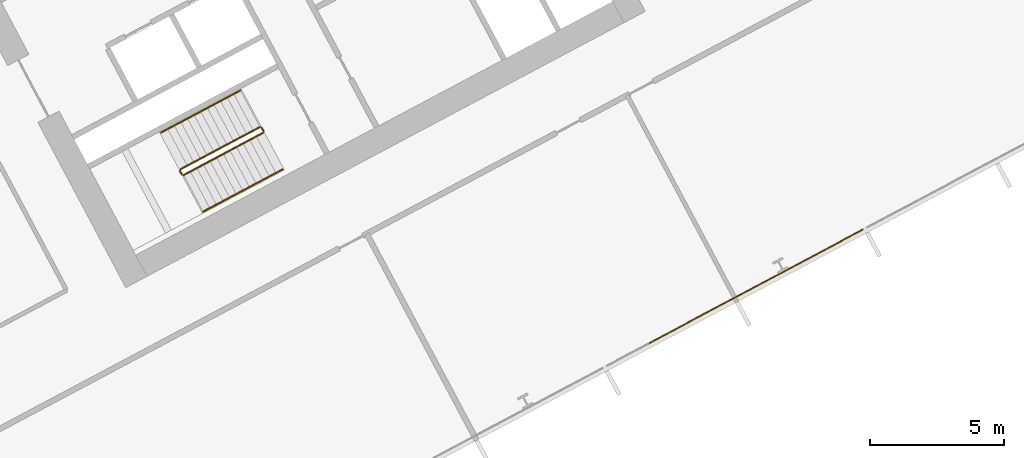
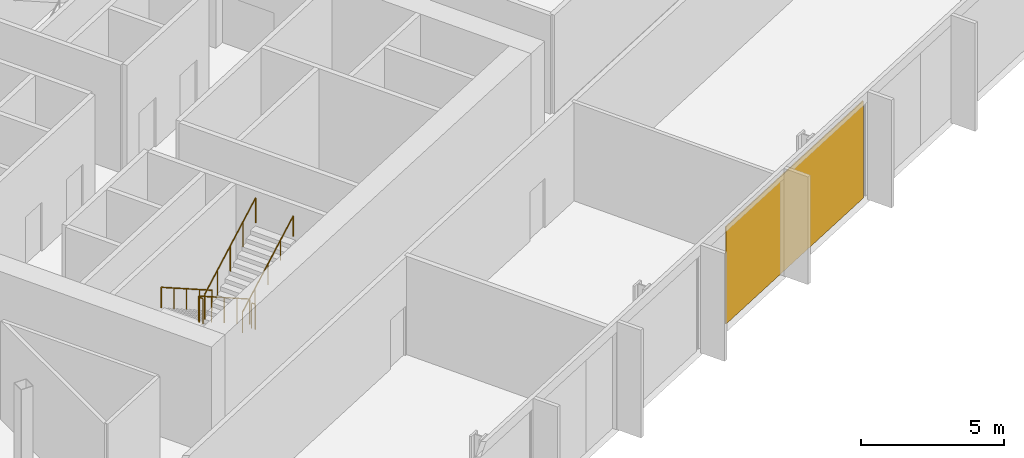
# One storey, part 26 of 30: 6 railings, 1 covering, 1 element without a shape of its own.
"""IFC4 building model written with IfcOpenShell, lengths in metres."""

import ifcopenshell
import ifcopenshell.guid

model = None  # the IFC model being written
_history = None  # IfcOwnerHistory: only IFC2X3 demands one
_inside = {}  # id of a spatial element -> (the spatial element, [elements in it])
_under = {}  # id of a project, library or spatial element -> (it, [spatial elements below it])
_declared = {}  # id of a project -> (the project, [libraries it declares])
_typed = {}  # id of a type object -> (the type object, [elements of that type])
_made_of = {}  # id of a material, layer set ... -> (it, [elements and type objects made of it])


def new_model(schema):
    """Start an empty IFC model of exactly this schema.

    Asked for "IFC4X3", IfcOpenShell would pick the latest addendum, in which some entities
    have other attributes; the version numbers below select the first issue.
    IFC2X3 requires an IfcOwnerHistory on every rooted entity: one is made here for all.
    """
    global model, _history
    if schema == "IFC4X3":
        model = ifcopenshell.file(schema_version=(4, 3, 0, 0))
    else:
        model = ifcopenshell.file(schema=schema)
    _inside.clear()
    _under.clear()
    _declared.clear()
    _typed.clear()
    _made_of.clear()
    _history = None
    if model.schema == "IFC2X3":
        org = make("IfcOrganization", Name="unknown")
        user = make(
            "IfcPersonAndOrganization",
            ThePerson=make("IfcPerson", FamilyName="unknown"),
            TheOrganization=org,
        )
        app = make(
            "IfcApplication",
            ApplicationDeveloper=org,
            Version="unknown",
            ApplicationFullName="unknown",
            ApplicationIdentifier="unknown",
        )
        _history = make(
            "IfcOwnerHistory",
            OwningUser=user,
            OwningApplication=app,
            ChangeAction="ADDED",
            CreationDate=0,
        )
    return model


def make(cls, **values):
    """One entity of the class cls with the attributes given. An attribute that is None is left unset."""
    return model.create_entity(
        cls, **{name: value for name, value in values.items() if value is not None}
    )


def rooted(cls, **values):
    """An entity with a GlobalId (a new one), such as an element, a storey or a relation."""
    return make(cls, GlobalId=ifcopenshell.guid.new(), OwnerHistory=_history, **values)


def si_unit(unit_type, name, prefix=None):
    """IfcSIUnit, for example si_unit("LENGTHUNIT", "METRE", prefix="MILLI")."""
    return make("IfcSIUnit", UnitType=unit_type, Prefix=prefix, Name=name)


def assignment(units):
    """IfcUnitAssignment: the units of a project."""
    return None if units is None else make("IfcUnitAssignment", Units=units)


def point(xyz):
    """IfcCartesianPoint."""
    return None if xyz is None else make("IfcCartesianPoint", Coordinates=xyz)


def direction(xyz):
    """IfcDirection."""
    return None if xyz is None else make("IfcDirection", DirectionRatios=xyz)


def frame(location, z_axis=None, x_axis=None):
    """IfcAxis2Placement3D, a coordinate frame: its origin and axes. An axis left out is left unset."""
    return make(
        "IfcAxis2Placement3D",
        Location=point(location),
        Axis=direction(z_axis),
        RefDirection=direction(x_axis),
    )


def frame_2d(location, x_axis=None):
    """IfcAxis2Placement2D, a coordinate frame in the plane: its origin and x axis."""
    return make(
        "IfcAxis2Placement2D", Location=point(location), RefDirection=direction(x_axis)
    )


def origin():
    """The frame at (0, 0, 0) with its axes left unset."""
    return frame((0.0, 0.0, 0.0))


def origin_2d():
    """The frame at (0, 0) in the plane with its x axis left unset."""
    return frame_2d((0.0, 0.0))


def place(relative_to, where):
    """IfcLocalPlacement: puts the frame where relative to a parent placement (None: the world)."""
    return make(
        "IfcLocalPlacement", PlacementRelTo=relative_to, RelativePlacement=where
    )


def context(
    kind, dimensions, precision=None, world=None, true_north=None, identifier=None
):
    """IfcGeometricRepresentationContext, for example the 3D "Model" context."""
    return make(
        "IfcGeometricRepresentationContext",
        ContextIdentifier=identifier,
        ContextType=kind,
        CoordinateSpaceDimension=dimensions,
        Precision=precision,
        WorldCoordinateSystem=world,
        TrueNorth=true_north,
    )


def subcontext(parent, identifier, kind, view, scale=None):
    """IfcGeometricRepresentationSubContext, for example "Body" below "Model"."""
    return make(
        "IfcGeometricRepresentationSubContext",
        ContextIdentifier=identifier,
        ContextType=kind,
        ParentContext=parent,
        TargetScale=scale,
        TargetView=view,
    )


def project(units=None, contexts=None):
    """IfcProject with its units and contexts."""
    return rooted(
        "IfcProject",
        Name="project",
        RepresentationContexts=contexts,
        UnitsInContext=assignment(units),
    )


def spatial(cls, under=None, at=None, **own):
    """A site, building, storey or space (cls), placed at a placement, below another one or the project."""
    s = rooted(cls, ObjectPlacement=at, **own)
    if under is not None:
        _under.setdefault(under.id(), (under, []))[1].append(s)
    return s


def polyline(points):
    """IfcPolyline through the points."""
    return make("IfcPolyline", Points=[point(p) for p in points])


def profile(cls, at=None, kind="AREA", **sizes):
    """A parametric profile (cls). Its sizes go by their IFC names, for example OverallWidth=200.0."""
    return make(cls, ProfileType=kind, Position=at, **sizes)


def rectangle(**sizes):
    """IfcRectangleProfileDef."""
    return profile("IfcRectangleProfileDef", **sizes)


def outline(outer, holes=None, kind="AREA"):
    """IfcArbitraryClosedProfileDef: a profile drawn as a closed curve; with holes, ...WithVoids."""
    if holes is None:
        return make("IfcArbitraryClosedProfileDef", ProfileType=kind, OuterCurve=outer)
    return make(
        "IfcArbitraryProfileDefWithVoids",
        ProfileType=kind,
        OuterCurve=outer,
        InnerCurves=holes,
    )


def extrude(swept, where, along, depth):
    """IfcExtrudedAreaSolid: the profile swept, set in the frame where, extruded along a direction by depth."""
    return make(
        "IfcExtrudedAreaSolid",
        SweptArea=swept,
        Position=where,
        ExtrudedDirection=direction(along),
        Depth=depth,
    )


def shape(context_of_items, identifier, shape_type, items):
    """IfcShapeRepresentation: the items that make up one representation, for example the "Body"."""
    return make(
        "IfcShapeRepresentation",
        ContextOfItems=context_of_items,
        RepresentationIdentifier=identifier,
        RepresentationType=shape_type,
        Items=items,
    )


def material(Name=None, Category=None):
    """IfcMaterial."""
    return make("IfcMaterial", Name=Name, Category=Category)


def layer(
    of_material, thickness, ventilated=None, Name=None, Category=None, Priority=None
):
    """IfcMaterialLayer: one layer of a wall or slab, of a material (None: an air gap)."""
    return make(
        "IfcMaterialLayer",
        Material=of_material,
        LayerThickness=thickness,
        IsVentilated=ventilated,
        Name=Name,
        Category=Category,
        Priority=Priority,
    )


def layer_set(layers, Name=None):
    """IfcMaterialLayerSet."""
    return make("IfcMaterialLayerSet", MaterialLayers=layers, LayerSetName=Name)


def made_of(thing, what):
    """Note that an element or type object is made of a material, layer set ...; save() writes the relation."""
    if what is not None:
        _made_of.setdefault(what.id(), (what, []))[1].append(thing)
    return thing


def type_object(cls, material=None, **own):
    """A type object (cls), such as IfcWallType, which elements share."""
    return made_of(rooted(cls, **own), material)


def element(
    cls,
    number,
    at=None,
    inside=None,
    cuts=None,
    type_object=None,
    material=None,
    context=None,
    identifier="Body",
    shape_type=None,
    held_by="IfcProductDefinitionShape",
    body=None,
    shapes=None,
    **own,
):
    """One element of the class cls, such as IfcWall. Its Tag is "e" and its number.

    at: its placement. inside: the storey or other place that contains it. cuts: it is an
    opening in that element (IfcRelVoidsElement). A single representation is given by context,
    identifier, shape_type and body (its items); several are given by shapes. held_by: the class
    of the entity that holds the representations. save() writes the other relations.
    """
    e = rooted(cls, Tag="e%d" % number, ObjectPlacement=at, **own)
    if body is not None:
        shapes = [shape(context, identifier, shape_type, body)]
    if shapes is not None:
        e.Representation = make(held_by, Representations=shapes)
    if inside is not None:
        _inside.setdefault(inside.id(), (inside, []))[1].append(e)
    if cuts is not None:
        rooted(
            "IfcRelVoidsElement", RelatingBuildingElement=cuts, RelatedOpeningElement=e
        )
    if type_object is not None:
        _typed.setdefault(type_object.id(), (type_object, []))[1].append(e)
    return made_of(e, material)


def aggregate(whole, parts):
    """IfcRelAggregates: a whole, such as a stair, and the parts it consists of."""
    return rooted("IfcRelAggregates", RelatingObject=whole, RelatedObjects=parts)


def save(model, path):
    """Write the relations noted so far, then the file.

    IfcRelAggregates (storeys below a building ...), IfcRelContainedInSpatialStructure (elements
    in a storey), IfcRelDefinesByType, IfcRelAssociatesMaterial and IfcRelDeclares: one each for
    every whole, place, type object, material and project.
    """
    for whole, parts in _under.values():
        aggregate(whole, parts)
    for where, things in _inside.values():
        rooted(
            "IfcRelContainedInSpatialStructure",
            RelatedElements=things,
            RelatingStructure=where,
        )
    for kind, things in _typed.values():
        rooted("IfcRelDefinesByType", RelatedObjects=things, RelatingType=kind)
    for what, things in _made_of.values():
        rooted("IfcRelAssociatesMaterial", RelatedObjects=things, RelatingMaterial=what)
    for by, libraries in _declared.values():
        rooted("IfcRelDeclares", RelatingContext=by, RelatedDefinitions=libraries)
    model.write(path)


model = new_model("IFC4")

# Units and contexts
model_context = context("Model", 3, precision=1e-05, world=origin(), true_north=direction((0.0, 1.0)))
body_context = subcontext(model_context, "Body", "Model", "MODEL_VIEW")
ifc_project = project(units=[si_unit("LENGTHUNIT", "METRE"), si_unit("AREAUNIT", "SQUARE_METRE"), si_unit("VOLUMEUNIT", "CUBIC_METRE"), si_unit("PLANEANGLEUNIT", "RADIAN"), si_unit("MASSUNIT", "GRAM", prefix="KILO")], contexts=[model_context])

# Site, building, storey
site_placement = place(None, origin())
site = spatial("IfcSite", under=ifc_project, at=site_placement, CompositionType="ELEMENT")
building_placement = place(site_placement, origin())
building = spatial("IfcBuilding", under=site, at=building_placement, Name="Cormorant Relay Tower", CompositionType="ELEMENT")
storey_placement = place(building_placement, frame((0.0, 0.0, 84.60009765625)))
storey = spatial("IfcBuildingStorey", under=building, at=storey_placement, Name="L16", CompositionType="ELEMENT", Elevation=84.60009765625)

# Curtain wall, covering
ifc_material_1 = material(Name="Aluminium 6063-T6 anodised bronze", Category="aluminium")
ifc_layer_1 = layer(ifc_material_1, 0.199951171875)
ifc_layer_set_1 = layer_set([ifc_layer_1], Name="CW1 unitised bronze curtain wall with vertical fins")
curtain_wall_type = type_object("IfcCurtainWallType", Name="CW1 unitised bronze curtain wall with vertical fins", PredefinedType="NOTDEFINED", material=ifc_layer_set_1)
curtain_wall_placement = place(storey_placement, origin())
curtain_wall = element("IfcCurtainWall", 1, at=curtain_wall_placement, inside=storey, type_object=curtain_wall_type, Name="CW1 curtain wall 2", PredefinedType="NOTDEFINED")
ifc_material_2 = material(Name="Pale bronze anodised aluminium insulated panel", Category="aluminium")
ifc_layer_2 = layer(ifc_material_2, 0.0400390625)
ifc_layer_set_2 = layer_set([ifc_layer_2], Name="CW1 pale bronze insulated panel 40")
covering_type = type_object("IfcCoveringType", Name="CW1 pale bronze insulated panel 40", PredefinedType="CLADDING", material=ifc_layer_set_2)
covering_placement = place(storey_placement, frame((42.38623046875, -1.269287109375, 0.0), z_axis=(0.0, 0.0, 1.0), x_axis=(0.882947592859, 0.469471562786, 0.0)))
covering = element("IfcCovering", 2, at=covering_placement, type_object=covering_type, Name="CW1 panel S09", PredefinedType="CLADDING", context=body_context, shape_type="SweptSolid", body=[
    extrude(rectangle(XDim=9.07373046875, YDim=0.0400390625, at=origin_2d()), origin(), (0.0, 0.0, 1.0), 4.14990234375),
])
aggregate(curtain_wall, [covering])

# Railings
ifc_material_3 = material(Name="Steel ASTM A572 Grade 50 (Fy 345 MPa)", Category="steel")
railing_type_1 = type_object("IfcRailingType", Name="Stair guard 1100", PredefinedType="GUARDRAIL", material=ifc_material_3)
railing_1_placement = place(storey_placement, frame((23.83837890625, 4.6904296875, 0.1767578125)))
element("IfcRailing", 3, at=railing_1_placement, inside=storey, type_object=railing_type_1, Name="L16 B1 stair guard 1", PredefinedType="GUARDRAIL", context=body_context, shape_type="SweptSolid", body=[
    extrude(outline(polyline([(0.022216796875, 0.00927734375), (0.00927734375, 0.022216796875), (-0.00927734375, 0.022216796875), (-0.022216796875, 0.00927734375), (-0.022216796875, -0.00927734375), (-0.00927734375, -0.022216796875), (0.00927734375, -0.022216796875), (0.022216796875, -0.00927734375), (0.022216796875, 0.00927734375)])), frame((0.0, 0.0, 1.076171875), z_axis=(-0.746440668329, -0.396869088057, 0.534154711306), x_axis=(0.46945269911, -0.882957622595, 0.0)), (0.0, 0.0, 1.0), 3.974609375),
    extrude(outline(polyline([(0.019287109375, 0.008056640625), (0.008056640625, 0.019287109375), (-0.008056640625, 0.019287109375), (-0.019287109375, 0.008056640625), (-0.019287109375, -0.008056640625), (-0.008056640625, -0.019287109375), (0.008056640625, -0.019287109375), (0.019287109375, -0.008056640625), (0.019287109375, 0.008056640625)])), origin(), (0.0, 0.0, 1.0), 1.052001953125),
    extrude(outline(polyline([(0.019287109375, 0.008056640625), (0.008056640625, 0.019287109375), (-0.008056640625, 0.019287109375), (-0.019287109375, 0.008056640625), (-0.019287109375, -0.008056640625), (-0.008056640625, -0.019287109375), (0.008056640625, -0.019287109375), (0.019287109375, -0.008056640625), (0.019287109375, 0.008056640625)])), frame((-0.74169921875, -0.394287109375, 0.53076171875)), (0.0, 0.0, 1.0), 1.052001953125),
    extrude(outline(polyline([(0.019287109375, 0.008056640625), (0.008056640625, 0.019287109375), (-0.008056640625, 0.019287109375), (-0.019287109375, 0.008056640625), (-0.019287109375, -0.008056640625), (-0.008056640625, -0.019287109375), (0.008056640625, -0.019287109375), (0.019287109375, -0.008056640625), (0.019287109375, 0.008056640625)])), frame((-1.4833984375, -0.78857421875, 1.0615234375)), (0.0, 0.0, 1.0), 1.052001953125),
    extrude(outline(polyline([(0.019287109375, 0.008056640625), (0.008056640625, 0.019287109375), (-0.008056640625, 0.019287109375), (-0.019287109375, 0.008056640625), (-0.019287109375, -0.008056640625), (-0.008056640625, -0.019287109375), (0.008056640625, -0.019287109375), (0.019287109375, -0.008056640625), (0.019287109375, 0.008056640625)])), frame((-2.22509765625, -1.18310546875, 1.59228515625)), (0.0, 0.0, 1.0), 1.052001953125),
    extrude(outline(polyline([(0.019287109375, 0.008056640625), (0.008056640625, 0.019287109375), (-0.008056640625, 0.019287109375), (-0.019287109375, 0.008056640625), (-0.019287109375, -0.008056640625), (-0.008056640625, -0.019287109375), (0.008056640625, -0.019287109375), (0.019287109375, -0.008056640625), (0.019287109375, 0.008056640625)])), frame((-2.966796875, -1.577392578125, 2.123046875)), (0.0, 0.0, 1.0), 1.052001953125),
])
railing_2_placement = place(storey_placement, frame((20.850830078125, 3.04541015625, 2.2998046875)))
element("IfcRailing", 4, at=railing_2_placement, inside=storey, type_object=railing_type_1, Name="L16 B1 stair guard 2", PredefinedType="GUARDRAIL", context=body_context, shape_type="SweptSolid", body=[
    extrude(outline(polyline([(0.022216796875, 0.00927734375), (0.00927734375, 0.022216796875), (-0.00927734375, 0.022216796875), (-0.022216796875, 0.00927734375), (-0.022216796875, -0.00927734375), (-0.00927734375, -0.022216796875), (0.00927734375, -0.022216796875), (0.022216796875, -0.00927734375), (0.022216796875, 0.00927734375)])), frame((0.0, 0.0, 1.076171875), z_axis=(0.469828648786, -0.882757634224, 0.0), x_axis=(0.882757634224, 0.469828648786, 0.0)), (0.0, 0.0, 1.0), 0.150146484375),
    extrude(outline(polyline([(0.019287109375, 0.008056640625), (0.008056640625, 0.019287109375), (-0.008056640625, 0.019287109375), (-0.019287109375, 0.008056640625), (-0.019287109375, -0.008056640625), (-0.008056640625, -0.019287109375), (0.008056640625, -0.019287109375), (0.019287109375, -0.008056640625), (0.019287109375, 0.008056640625)])), origin(), (0.0, 0.0, 1.0), 1.052001953125),
    extrude(outline(polyline([(0.019287109375, 0.008056640625), (0.008056640625, 0.019287109375), (-0.008056640625, 0.019287109375), (-0.019287109375, 0.008056640625), (-0.019287109375, -0.008056640625), (-0.008056640625, -0.019287109375), (0.008056640625, -0.019287109375), (0.019287109375, -0.008056640625), (0.019287109375, 0.008056640625)])), frame((0.070556640625, -0.132568359375, 0.0)), (0.0, 0.0, 1.0), 1.052001953125),
])
railing_3_placement = place(storey_placement, frame((20.989013671875, 2.892333984375, 2.476806640625)))
element("IfcRailing", 5, at=railing_3_placement, inside=storey, type_object=railing_type_1, Name="L16 B1 stair guard 3", PredefinedType="GUARDRAIL", context=body_context, shape_type="SweptSolid", body=[
    extrude(outline(polyline([(0.022216796875, 0.00927734375), (0.00927734375, 0.022216796875), (-0.00927734375, 0.022216796875), (-0.022216796875, 0.00927734375), (-0.022216796875, -0.00927734375), (-0.00927734375, -0.022216796875), (0.00927734375, -0.022216796875), (0.022216796875, -0.00927734375), (0.022216796875, 0.00927734375)])), frame((0.0, 0.0, 1.076171875), z_axis=(0.746413465702, 0.396887285154, 0.534179203172), x_axis=(-0.469482818608, 0.88294160794, 0.0)), (0.0, 0.0, 1.0), 3.974365234375),
    extrude(outline(polyline([(0.019287109375, 0.008056640625), (0.008056640625, 0.019287109375), (-0.008056640625, 0.019287109375), (-0.019287109375, 0.008056640625), (-0.019287109375, -0.008056640625), (-0.008056640625, -0.019287109375), (0.008056640625, -0.019287109375), (0.019287109375, -0.008056640625), (0.019287109375, 0.008056640625)])), origin(), (0.0, 0.0, 1.0), 1.052001953125),
    extrude(outline(polyline([(0.019287109375, 0.008056640625), (0.008056640625, 0.019287109375), (-0.008056640625, 0.019287109375), (-0.019287109375, 0.008056640625), (-0.019287109375, -0.008056640625), (-0.008056640625, -0.019287109375), (0.008056640625, -0.019287109375), (0.019287109375, -0.008056640625), (0.019287109375, 0.008056640625)])), frame((0.74169921875, 0.394287109375, 0.53076171875)), (0.0, 0.0, 1.0), 1.052001953125),
    extrude(outline(polyline([(0.019287109375, 0.008056640625), (0.008056640625, 0.019287109375), (-0.008056640625, 0.019287109375), (-0.019287109375, 0.008056640625), (-0.019287109375, -0.008056640625), (-0.008056640625, -0.019287109375), (0.008056640625, -0.019287109375), (0.019287109375, -0.008056640625), (0.019287109375, 0.008056640625)])), frame((1.4833984375, 0.78857421875, 1.0615234375)), (0.0, 0.0, 1.0), 1.052001953125),
    extrude(outline(polyline([(0.019287109375, 0.008056640625), (0.008056640625, 0.019287109375), (-0.008056640625, 0.019287109375), (-0.019287109375, 0.008056640625), (-0.019287109375, -0.008056640625), (-0.008056640625, -0.019287109375), (0.008056640625, -0.019287109375), (0.019287109375, -0.008056640625), (0.019287109375, 0.008056640625)])), frame((2.224853515625, 1.18310546875, 1.59228515625)), (0.0, 0.0, 1.0), 1.052001953125),
    extrude(outline(polyline([(0.019287109375, 0.008056640625), (0.008056640625, 0.019287109375), (-0.008056640625, 0.019287109375), (-0.019287109375, 0.008056640625), (-0.019287109375, -0.008056640625), (-0.008056640625, -0.019287109375), (0.008056640625, -0.019287109375), (0.019287109375, -0.008056640625), (0.019287109375, 0.008056640625)])), frame((2.966552734375, 1.577392578125, 2.123046875)), (0.0, 0.0, 1.0), 1.052001953125),
])
railing_4_placement = place(storey_placement, frame((23.906005859375, 4.669677734375, 0.0)))
element("IfcRailing", 6, at=railing_4_placement, inside=storey, type_object=railing_type_1, Name="L16 B1 stair guard 4", PredefinedType="GUARDRAIL", context=body_context, shape_type="SweptSolid", body=[
    extrude(outline(polyline([(0.022216796875, 0.00927734375), (0.00927734375, 0.022216796875), (-0.00927734375, 0.022216796875), (-0.022216796875, 0.00927734375), (-0.022216796875, -0.00927734375), (-0.00927734375, -0.022216796875), (0.00927734375, -0.022216796875), (0.022216796875, -0.00927734375), (0.022216796875, 0.00927734375)])), frame((0.0, 0.0, 1.076171875), z_axis=(0.469234640946, -0.883073525669, 0.0), x_axis=(0.883073525669, 0.469234640946, 0.0)), (0.0, 0.0, 1.0), 0.14990234375),
    extrude(outline(polyline([(0.019287109375, 0.008056640625), (0.008056640625, 0.019287109375), (-0.008056640625, 0.019287109375), (-0.019287109375, 0.008056640625), (-0.019287109375, -0.008056640625), (-0.008056640625, -0.019287109375), (0.008056640625, -0.019287109375), (0.019287109375, -0.008056640625), (0.019287109375, 0.008056640625)])), origin(), (0.0, 0.0, 1.0), 1.052001953125),
    extrude(outline(polyline([(0.019287109375, 0.008056640625), (0.008056640625, 0.019287109375), (-0.008056640625, 0.019287109375), (-0.019287109375, 0.008056640625), (-0.019287109375, -0.008056640625), (-0.008056640625, -0.019287109375), (0.008056640625, -0.019287109375), (0.019287109375, -0.008056640625), (0.019287109375, 0.008056640625)])), frame((0.0703125, -0.13232421875, 0.0)), (0.0, 0.0, 1.0), 1.052001953125),
])
ifc_material_4 = material(Name="Steel ASTM A572 Grade 50 (Fy 345 MPa)", Category="steel")
railing_type_2 = type_object("IfcRailingType", Name="Stair handrail 900", PredefinedType="HANDRAIL", material=ifc_material_4)
railing_5_placement = place(storey_placement, frame((23.110595703125, 6.05908203125, 0.1767578125)))
element("IfcRailing", 7, at=railing_5_placement, inside=storey, type_object=railing_type_2, Name="L16 B1 stair handrail 1", PredefinedType="HANDRAIL", context=body_context, shape_type="SweptSolid", body=[
    extrude(outline(polyline([(0.022216796875, 0.00927734375), (0.00927734375, 0.022216796875), (-0.00927734375, 0.022216796875), (-0.022216796875, 0.00927734375), (-0.022216796875, -0.00927734375), (-0.00927734375, -0.022216796875), (0.00927734375, -0.022216796875), (0.022216796875, -0.00927734375), (0.022216796875, 0.00927734375)])), frame((0.0, 0.0, 0.8759765625), z_axis=(-0.746413465702, -0.396887285154, 0.534179203172), x_axis=(0.469482818608, -0.88294160794, 0.0)), (0.0, 0.0, 1.0), 3.974365234375),
    extrude(outline(polyline([(0.019287109375, 0.008056640625), (0.008056640625, 0.019287109375), (-0.008056640625, 0.019287109375), (-0.019287109375, 0.008056640625), (-0.019287109375, -0.008056640625), (-0.008056640625, -0.019287109375), (0.008056640625, -0.019287109375), (0.019287109375, -0.008056640625), (0.019287109375, 0.008056640625)])), origin(), (0.0, 0.0, 1.0), 0.851806640625),
    extrude(outline(polyline([(0.019287109375, 0.008056640625), (0.008056640625, 0.019287109375), (-0.008056640625, 0.019287109375), (-0.019287109375, 0.008056640625), (-0.019287109375, -0.008056640625), (-0.008056640625, -0.019287109375), (0.008056640625, -0.019287109375), (0.019287109375, -0.008056640625), (0.019287109375, 0.008056640625)])), frame((-0.74169921875, -0.394287109375, 0.53076171875)), (0.0, 0.0, 1.0), 0.851806640625),
    extrude(outline(polyline([(0.019287109375, 0.008056640625), (0.008056640625, 0.019287109375), (-0.008056640625, 0.019287109375), (-0.019287109375, 0.008056640625), (-0.019287109375, -0.008056640625), (-0.008056640625, -0.019287109375), (0.008056640625, -0.019287109375), (0.019287109375, -0.008056640625), (0.019287109375, 0.008056640625)])), frame((-1.4833984375, -0.78857421875, 1.0615234375)), (0.0, 0.0, 1.0), 0.851806640625),
    extrude(outline(polyline([(0.019287109375, 0.008056640625), (0.008056640625, 0.019287109375), (-0.008056640625, 0.019287109375), (-0.019287109375, 0.008056640625), (-0.019287109375, -0.008056640625), (-0.008056640625, -0.019287109375), (0.008056640625, -0.019287109375), (0.019287109375, -0.008056640625), (0.019287109375, 0.008056640625)])), frame((-2.224853515625, -1.18310546875, 1.59228515625)), (0.0, 0.0, 1.0), 0.851806640625),
    extrude(outline(polyline([(0.019287109375, 0.008056640625), (0.008056640625, 0.019287109375), (-0.008056640625, 0.019287109375), (-0.019287109375, 0.008056640625), (-0.019287109375, -0.008056640625), (-0.008056640625, -0.019287109375), (0.008056640625, -0.019287109375), (0.019287109375, -0.008056640625), (0.019287109375, 0.008056640625)])), frame((-2.966552734375, -1.577392578125, 2.123046875)), (0.0, 0.0, 1.0), 0.851806640625),
])
railing_6_placement = place(storey_placement, frame((21.716552734375, 1.523681640625, 2.476806640625)))
element("IfcRailing", 8, at=railing_6_placement, inside=storey, type_object=railing_type_2, Name="L16 B1 stair handrail 2", PredefinedType="HANDRAIL", context=body_context, shape_type="SweptSolid", body=[
    extrude(outline(polyline([(0.022216796875, 0.00927734375), (0.00927734375, 0.022216796875), (-0.00927734375, 0.022216796875), (-0.022216796875, 0.00927734375), (-0.022216796875, -0.00927734375), (-0.00927734375, -0.022216796875), (0.00927734375, -0.022216796875), (0.022216796875, -0.00927734375), (0.022216796875, 0.00927734375)])), frame((0.0, 0.0, 0.8759765625), z_axis=(0.746440668329, 0.396869088057, 0.534154711306), x_axis=(-0.46945269911, 0.882957622595, 0.0)), (0.0, 0.0, 1.0), 3.974609375),
    extrude(outline(polyline([(0.019287109375, 0.008056640625), (0.008056640625, 0.019287109375), (-0.008056640625, 0.019287109375), (-0.019287109375, 0.008056640625), (-0.019287109375, -0.008056640625), (-0.008056640625, -0.019287109375), (0.008056640625, -0.019287109375), (0.019287109375, -0.008056640625), (0.019287109375, 0.008056640625)])), origin(), (0.0, 0.0, 1.0), 0.851806640625),
    extrude(outline(polyline([(0.019287109375, 0.008056640625), (0.008056640625, 0.019287109375), (-0.008056640625, 0.019287109375), (-0.019287109375, 0.008056640625), (-0.019287109375, -0.008056640625), (-0.008056640625, -0.019287109375), (0.008056640625, -0.019287109375), (0.019287109375, -0.008056640625), (0.019287109375, 0.008056640625)])), frame((0.74169921875, 0.394287109375, 0.53076171875)), (0.0, 0.0, 1.0), 0.851806640625),
    extrude(outline(polyline([(0.019287109375, 0.008056640625), (0.008056640625, 0.019287109375), (-0.008056640625, 0.019287109375), (-0.019287109375, 0.008056640625), (-0.019287109375, -0.008056640625), (-0.008056640625, -0.019287109375), (0.008056640625, -0.019287109375), (0.019287109375, -0.008056640625), (0.019287109375, 0.008056640625)])), frame((1.4833984375, 0.78857421875, 1.0615234375)), (0.0, 0.0, 1.0), 0.851806640625),
    extrude(outline(polyline([(0.019287109375, 0.008056640625), (0.008056640625, 0.019287109375), (-0.008056640625, 0.019287109375), (-0.019287109375, 0.008056640625), (-0.019287109375, -0.008056640625), (-0.008056640625, -0.019287109375), (0.008056640625, -0.019287109375), (0.019287109375, -0.008056640625), (0.019287109375, 0.008056640625)])), frame((2.22509765625, 1.18310546875, 1.59228515625)), (0.0, 0.0, 1.0), 0.851806640625),
    extrude(outline(polyline([(0.019287109375, 0.008056640625), (0.008056640625, 0.019287109375), (-0.008056640625, 0.019287109375), (-0.019287109375, 0.008056640625), (-0.019287109375, -0.008056640625), (-0.008056640625, -0.019287109375), (0.008056640625, -0.019287109375), (0.019287109375, -0.008056640625), (0.019287109375, 0.008056640625)])), frame((2.966796875, 1.577392578125, 2.123046875)), (0.0, 0.0, 1.0), 0.851806640625),
])

save(model, "model.ifc")
